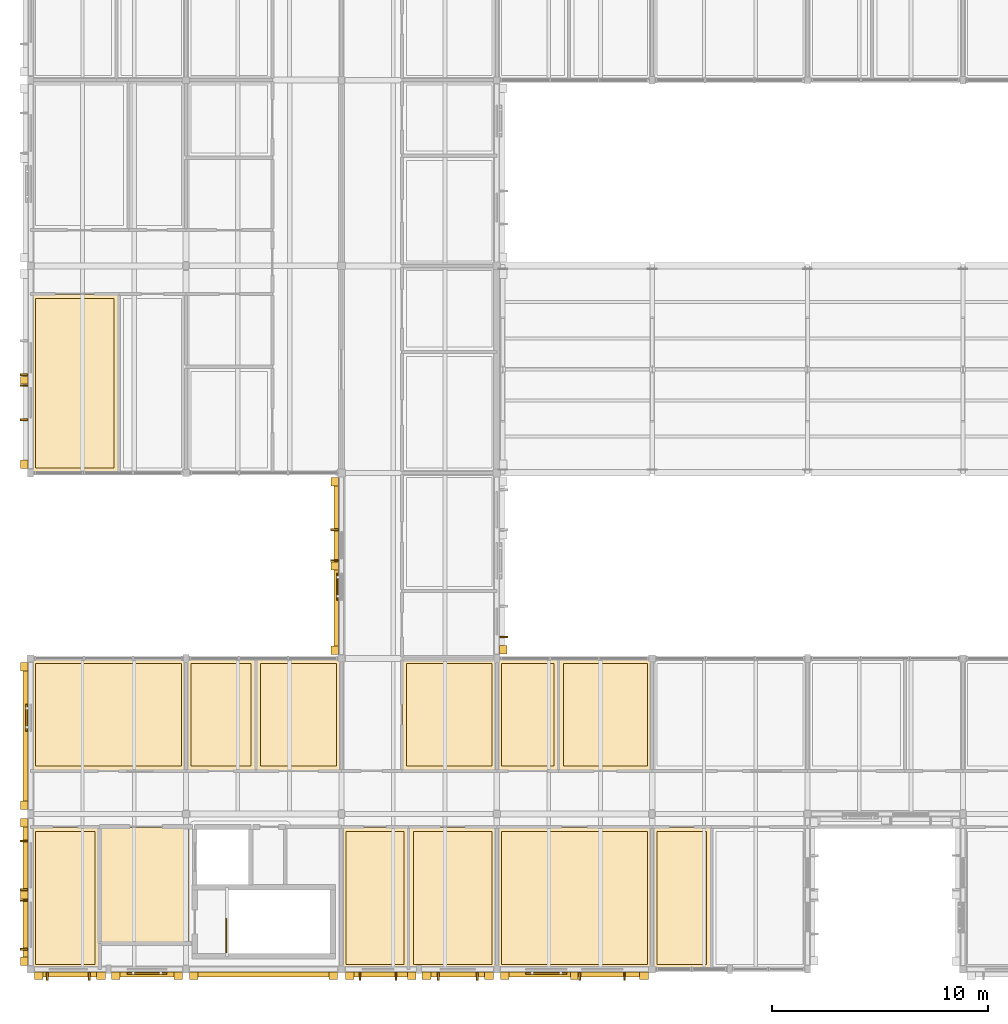
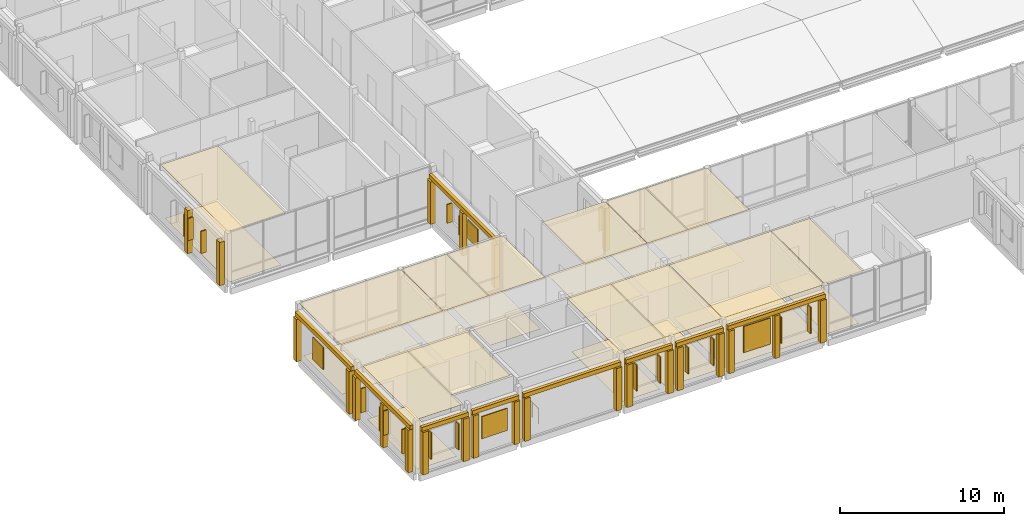
# One storey, part 102 of 115: 58 coverings, 22 shading devices, 1 railing.
"""IFC4 building model written with IfcOpenShell, lengths in metres."""

from ifc_helpers import new_model, si_unit, direction, frame, origin, origin_2d, place, context, subcontext, project, spatial, polyline, rectangle, circle, outline, extrude, material, layer, layer_set, type_object, element, save


model = new_model("IFC4")

# Units and contexts
model_context = context("Model", 3, precision=1e-05, world=origin(), true_north=direction((0.0, 1.0)))
body_context = subcontext(model_context, "Body", "Model", "MODEL_VIEW")
ifc_project = project(units=[si_unit("LENGTHUNIT", "METRE"), si_unit("AREAUNIT", "SQUARE_METRE"), si_unit("VOLUMEUNIT", "CUBIC_METRE"), si_unit("PLANEANGLEUNIT", "RADIAN"), si_unit("MASSUNIT", "GRAM", prefix="KILO")], contexts=[model_context])

# Site, building, storey
site_placement = place(None, origin())
site = spatial("IfcSite", under=ifc_project, at=site_placement, CompositionType="ELEMENT")
building_placement = place(site_placement, origin())
building = spatial("IfcBuilding", under=site, at=building_placement, Name="Hawrajan Terrace Health Centre", CompositionType="ELEMENT")
storey_placement = place(building_placement, frame((0.0, 0.0, 9.0)))
storey = spatial("IfcBuildingStorey", under=building, at=storey_placement, Name="L02", CompositionType="ELEMENT", Elevation=9.0)

# Coverings
ifc_material_1 = material(Name="Precast concrete C40/50", Category="concrete")
ifc_layer_1 = layer(ifc_material_1, 0.219970703125)
ifc_layer_set_1 = layer_set([ifc_layer_1], Name="Precast concrete C40/50")
covering_type_1 = type_object("IfcCoveringType", Name="ArtDecoCorniceBand", PredefinedType="CLADDING", material=ifc_layer_set_1)
covering_1_placement = place(storey_placement, frame((6.419921875, 3.955078125, 3.18017578125), z_axis=(0.0, 0.0, 1.0), x_axis=(1.0, 0.0, 0.0)))
element("IfcCovering", 1, at=covering_1_placement, inside=storey, type_object=covering_type_1, Name="Art Deco limestone cornice band CRN-L02-0104", PredefinedType="CLADDING", context=body_context, shape_type="SweptSolid", body=[
    extrude(rectangle(XDim=3.280029296875, YDim=0.219970703125, at=origin_2d()), origin(), (0.0, 0.0, 1.0), 0.300048828125),
])
covering_2_placement = place(storey_placement, frame((9.989990234375, 3.955078125, 3.18017578125), z_axis=(0.0, 0.0, 1.0), x_axis=(1.0, 0.0, 0.0)))
element("IfcCovering", 2, at=covering_2_placement, inside=storey, type_object=covering_type_1, Name="Art Deco limestone cornice band CRN-L02-0105", PredefinedType="CLADDING", context=body_context, shape_type="SweptSolid", body=[
    extrude(rectangle(XDim=3.300048828125, YDim=0.219970703125, at=origin_2d()), origin(), (0.0, 0.0, 1.0), 0.300048828125),
])
for number, where, z_axis, x_axis, name in (
    (3, (4.35498046875, 7.7900390625, 3.18017578125), (0.0, 0.0, 1.0), (0.0, 1.0, 0.0), "Art Deco limestone cornice band CRN-L02-0106"),
    (4, (4.35498046875, 15.010009765625, 3.18017578125), (0.0, 0.0, 1.0), (0.0, 1.0, 0.0), "Art Deco limestone cornice band CRN-L02-0107"),
):
    element("IfcCovering", number, at=place(storey_placement, frame(where, z_axis=z_axis, x_axis=x_axis)), inside=storey, type_object=covering_type_1, Name=name, PredefinedType="CLADDING", context=body_context, shape_type="SweptSolid", body=[
        extrude(rectangle(XDim=6.820068359375, YDim=0.219970703125, at=origin_2d()), origin(), (0.0, 0.0, 1.0), 0.300048828125),
    ])
covering_3_placement = place(storey_placement, frame((15.389892578125, 3.955078125, 3.18017578125), z_axis=(0.0, 0.0, 1.0), x_axis=(1.0, 0.0, 0.0)))
element("IfcCovering", 5, at=covering_3_placement, inside=storey, type_object=covering_type_1, Name="Art Deco limestone cornice band CRN-L02-0114", PredefinedType="CLADDING", context=body_context, shape_type="SweptSolid", body=[
    extrude(rectangle(XDim=6.860107421875, YDim=0.219970703125, at=origin_2d()), origin(), (0.0, 0.0, 1.0), 0.300048828125),
])
covering_4_placement = place(storey_placement, frame((20.820068359375, 3.955078125, 3.18017578125), z_axis=(0.0, 0.0, 1.0), x_axis=(1.0, 0.0, 0.0)))
element("IfcCovering", 6, at=covering_4_placement, inside=storey, type_object=covering_type_1, Name="Art Deco limestone cornice band CRN-L02-0116", PredefinedType="CLADDING", context=body_context, shape_type="SweptSolid", body=[
    extrude(rectangle(XDim=3.280029296875, YDim=0.219970703125, at=origin_2d()), origin(), (0.0, 0.0, 1.0), 0.300048828125),
])
covering_5_placement = place(storey_placement, frame((24.389892578125, 3.955078125, 3.18017578125), z_axis=(0.0, 0.0, 1.0), x_axis=(1.0, 0.0, 0.0)))
element("IfcCovering", 7, at=covering_5_placement, inside=storey, type_object=covering_type_1, Name="Art Deco limestone cornice band CRN-L02-0117", PredefinedType="CLADDING", context=body_context, shape_type="SweptSolid", body=[
    extrude(rectangle(XDim=3.300048828125, YDim=0.219970703125, at=origin_2d()), origin(), (0.0, 0.0, 1.0), 0.300048828125),
])
covering_6_placement = place(storey_placement, frame((18.7548828125, 22.889892578125, 3.18017578125), z_axis=(0.0, 0.0, 1.0), x_axis=(0.0, 1.0, 0.0)))
element("IfcCovering", 8, at=covering_6_placement, inside=storey, type_object=covering_type_1, Name="Art Deco limestone cornice band CRN-L02-0118", PredefinedType="CLADDING", context=body_context, shape_type="SweptSolid", body=[
    extrude(rectangle(XDim=8.219970703125, YDim=0.219970703125, at=origin_2d()), origin(), (0.0, 0.0, 1.0), 0.300048828125),
])
covering_7_placement = place(storey_placement, frame((29.7900390625, 3.955078125, 3.18017578125), z_axis=(0.0, 0.0, 1.0), x_axis=(1.0, 0.0, 0.0)))
element("IfcCovering", 9, at=covering_7_placement, inside=storey, type_object=covering_type_1, Name="Art Deco limestone cornice band CRN-L02-0124", PredefinedType="CLADDING", context=body_context, shape_type="SweptSolid", body=[
    extrude(rectangle(XDim=6.860107421875, YDim=0.219970703125, at=origin_2d()), origin(), (0.0, 0.0, 1.0), 0.300048828125),
])
ifc_layer_2 = layer(ifc_material_1, 0.340087890625)
ifc_layer_set_2 = layer_set([ifc_layer_2], Name="Precast concrete C40/50")
covering_type_2 = type_object("IfcCoveringType", Name="ArtDecoStonePilaster", PredefinedType="CLADDING", material=ifc_layer_set_2)
for number, where, z_axis, x_axis, name in (
    (10, (4.97998046875, 3.89501953125, 0.0), (0.0, 0.0, 1.0), (1.0, 0.0, 0.0), "Art Deco fluted limestone pilaster FPIL-L02-0186"),
    (11, (7.860107421875, 3.89501953125, 0.0), (0.0, 0.0, 1.0), (1.0, 0.0, 0.0), "Art Deco fluted limestone pilaster FPIL-L02-0187"),
    (12, (8.5400390625, 3.89501953125, 0.0), (0.0, 0.0, 1.0), (1.0, 0.0, 0.0), "Art Deco fluted limestone pilaster FPIL-L02-0188"),
    (13, (11.43994140625, 3.89501953125, 0.0), (0.0, 0.0, 1.0), (1.0, 0.0, 0.0), "Art Deco fluted limestone pilaster FPIL-L02-0189"),
    (14, (4.294921875, 4.580078125, 0.0), (0.0, 0.0, 1.0), (0.0, 1.0, 0.0), "Art Deco fluted limestone pilaster FPIL-L02-0190"),
    (15, (4.294921875, 11.0, 0.0), (0.0, 0.0, 1.0), (0.0, 1.0, 0.0), "Art Deco fluted limestone pilaster FPIL-L02-0191"),
):
    element("IfcCovering", number, at=place(storey_placement, frame(where, z_axis=z_axis, x_axis=x_axis)), inside=storey, type_object=covering_type_2, Name=name, PredefinedType="CLADDING", context=body_context, shape_type="SweptSolid", body=[
        extrude(rectangle(XDim=0.39990234375, YDim=0.340087890625, at=origin_2d()), origin(), (0.0, 0.0, 1.0), 3.169921875),
    ])
covering_8_placement = place(storey_placement, frame((4.294921875, 7.639892578125, 0.0), z_axis=(0.0, 0.0, 1.0), x_axis=(0.0, 1.0, 0.0)))
element("IfcCovering", 16, at=covering_8_placement, inside=storey, type_object=covering_type_2, Name="Art Deco mullion pilaster FPIL-L02-0192", PredefinedType="CLADDING", context=body_context, shape_type="SweptSolid", body=[
    extrude(rectangle(XDim=0.360107421875, YDim=0.340087890625, at=origin_2d()), origin(), (0.0, 0.0, 1.0), 3.169921875),
])
for number, where, z_axis, x_axis, name in (
    (17, (4.294921875, 11.800048828125, 0.0), (0.0, 0.0, 1.0), (0.0, 1.0, 0.0), "Art Deco fluted limestone pilaster FPIL-L02-0193"),
    (18, (4.294921875, 18.219970703125, 0.0), (0.0, 0.0, 1.0), (0.0, 1.0, 0.0), "Art Deco fluted limestone pilaster FPIL-L02-0194"),
):
    element("IfcCovering", number, at=place(storey_placement, frame(where, z_axis=z_axis, x_axis=x_axis)), inside=storey, type_object=covering_type_2, Name=name, PredefinedType="CLADDING", context=body_context, shape_type="SweptSolid", body=[
        extrude(rectangle(XDim=0.39990234375, YDim=0.340087890625, at=origin_2d()), origin(), (0.0, 0.0, 1.0), 3.169921875),
    ])
covering_9_placement = place(storey_placement, frame((4.294921875, 27.60009765625, 0.0), z_axis=(0.0, 0.0, 1.0), x_axis=(0.0, 1.0, 0.0)))
element("IfcCovering", 19, at=covering_9_placement, inside=storey, type_object=covering_type_2, Name="Art Deco fluted limestone pilaster FPIL-L02-0195", PredefinedType="CLADDING", context=body_context, shape_type="SweptSolid", body=[
    extrude(rectangle(XDim=0.39990234375, YDim=0.340087890625, at=origin_2d()), origin(), (0.0, 0.0, 1.0), 3.2099609375),
])
covering_10_placement = place(storey_placement, frame((4.294921875, 31.5, 0.0), z_axis=(0.0, 0.0, 1.0), x_axis=(0.0, 1.0, 0.0)))
element("IfcCovering", 20, at=covering_10_placement, inside=storey, type_object=covering_type_2, Name="Art Deco mullion pilaster FPIL-L02-0197", PredefinedType="CLADDING", context=body_context, shape_type="SweptSolid", body=[
    extrude(rectangle(XDim=0.360107421875, YDim=0.340087890625, at=origin_2d()), origin(), (0.0, 0.0, 1.0), 3.2099609375),
])
for number, where, z_axis, x_axis, name in (
    (21, (12.159912109375, 3.89501953125, 0.0), (0.0, 0.0, 1.0), (1.0, 0.0, 0.0), "Art Deco fluted limestone pilaster FPIL-L02-0210"),
    (22, (18.6201171875, 3.89501953125, 0.0), (0.0, 0.0, 1.0), (1.0, 0.0, 0.0), "Art Deco fluted limestone pilaster FPIL-L02-0211"),
    (23, (19.3798828125, 3.89501953125, 0.0), (0.0, 0.0, 1.0), (1.0, 0.0, 0.0), "Art Deco fluted limestone pilaster FPIL-L02-0214"),
    (24, (22.260009765625, 3.89501953125, 0.0), (0.0, 0.0, 1.0), (1.0, 0.0, 0.0), "Art Deco fluted limestone pilaster FPIL-L02-0215"),
    (25, (22.93994140625, 3.89501953125, 0.0), (0.0, 0.0, 1.0), (1.0, 0.0, 0.0), "Art Deco fluted limestone pilaster FPIL-L02-0216"),
    (26, (25.840087890625, 3.89501953125, 0.0), (0.0, 0.0, 1.0), (1.0, 0.0, 0.0), "Art Deco fluted limestone pilaster FPIL-L02-0217"),
    (27, (18.695068359375, 18.97998046875, 0.0), (0.0, 0.0, 1.0), (0.0, 1.0, 0.0), "Art Deco fluted limestone pilaster FPIL-L02-0218"),
    (28, (18.695068359375, 26.800048828125, 0.0), (0.0, 0.0, 1.0), (0.0, 1.0, 0.0), "Art Deco fluted limestone pilaster FPIL-L02-0219"),
):
    element("IfcCovering", number, at=place(storey_placement, frame(where, z_axis=z_axis, x_axis=x_axis)), inside=storey, type_object=covering_type_2, Name=name, PredefinedType="CLADDING", context=body_context, shape_type="SweptSolid", body=[
        extrude(rectangle(XDim=0.39990234375, YDim=0.340087890625, at=origin_2d()), origin(), (0.0, 0.0, 1.0), 3.169921875),
    ])
covering_11_placement = place(storey_placement, frame((18.695068359375, 22.889892578125, 0.0), z_axis=(0.0, 0.0, 1.0), x_axis=(0.0, 1.0, 0.0)))
element("IfcCovering", 29, at=covering_11_placement, inside=storey, type_object=covering_type_2, Name="Art Deco mullion pilaster FPIL-L02-0220", PredefinedType="CLADDING", context=body_context, shape_type="SweptSolid", body=[
    extrude(rectangle(XDim=0.360107421875, YDim=0.340087890625, at=origin_2d()), origin(), (0.0, 0.0, 1.0), 3.169921875),
])
for number, where, z_axis, x_axis, name in (
    (30, (26.5048828125, 19.0, 0.0), (0.0, 0.0, 1.0), (0.0, 1.0, 0.0), "Art Deco fluted limestone pilaster FPIL-L02-0221"),
    (31, (26.56005859375, 3.89501953125, 0.0), (0.0, 0.0, 1.0), (1.0, 0.0, 0.0), "Art Deco fluted limestone pilaster FPIL-L02-0232"),
    (32, (33.02001953125, 3.89501953125, 0.0), (0.0, 0.0, 1.0), (1.0, 0.0, 0.0), "Art Deco fluted limestone pilaster FPIL-L02-0233"),
):
    element("IfcCovering", number, at=place(storey_placement, frame(where, z_axis=z_axis, x_axis=x_axis)), inside=storey, type_object=covering_type_2, Name=name, PredefinedType="CLADDING", context=body_context, shape_type="SweptSolid", body=[
        extrude(rectangle(XDim=0.39990234375, YDim=0.340087890625, at=origin_2d()), origin(), (0.0, 0.0, 1.0), 3.169921875),
    ])
covering_12_placement = place(storey_placement, frame((29.7900390625, 3.89501953125, 0.0), z_axis=(0.0, 0.0, 1.0), x_axis=(1.0, 0.0, 0.0)))
element("IfcCovering", 33, at=covering_12_placement, inside=storey, type_object=covering_type_2, Name="Art Deco mullion pilaster FPIL-L02-0234", PredefinedType="CLADDING", context=body_context, shape_type="SweptSolid", body=[
    extrude(rectangle(XDim=0.360107421875, YDim=0.340087890625, at=origin_2d()), origin(), (0.0, 0.0, 1.0), 3.169921875),
])
ifc_material_2 = material(Name="Hygienic mineral-fibre acoustic tile ceiling")
ifc_layer_3 = layer(ifc_material_2, 0.02490234375)
ifc_layer_set_3 = layer_set([ifc_layer_3], Name="Hygienic mineral-fibre acoustic tile ceiling")
covering_type_3 = type_object("IfcCoveringType", Name="ClinicalAcousticCeiling_25", PredefinedType="CEILING", material=ifc_layer_set_3)
covering_13_placement = place(storey_placement, frame((0.0, 0.0, 3.885009765625)))
element("IfcCovering", 34, at=covering_13_placement, inside=storey, type_object=covering_type_3, Name="Suspended ceiling L02-020", PredefinedType="CEILING", context=body_context, shape_type="SweptSolid", body=[
    extrude(outline(polyline([(7.820068359375, 5.419921875), (7.820068359375, 10.780029296875), (11.929931640625, 10.780029296875), (11.929931640625, 5.419921875), (7.820068359375, 5.419921875)])), origin(), (0.0, 0.0, 1.0), 0.02490234375),
])
covering_14_placement = place(storey_placement, frame((0.0, 0.0, 3.93505859375)))
element("IfcCovering", 35, at=covering_14_placement, inside=storey, type_object=covering_type_3, Name="Suspended ceiling L02-045", PredefinedType="CEILING", context=body_context, shape_type="SweptSolid", body=[
    extrude(outline(polyline([(4.6201171875, 35.47998046875), (8.669677734375, 35.47998046875), (8.669677734375, 27.219970703125), (4.6201171875, 27.219970703125), (4.6201171875, 35.47998046875)])), origin(), (0.0, 0.0, 1.0), 0.02490234375),
])
covering_15_placement = place(storey_placement, frame((0.0, 0.0, 3.885009765625)))
element("IfcCovering", 36, at=covering_15_placement, inside=storey, type_object=covering_type_3, Name="Suspended ceiling L02-107", PredefinedType="CEILING", context=body_context, shape_type="SweptSolid", body=[
    extrude(outline(polyline([(4.6201171875, 10.780029296875), (7.780029296875, 10.780029296875), (7.780029296875, 4.219970703125), (4.6201171875, 4.219970703125), (4.6201171875, 10.780029296875)])), origin(), (0.0, 0.0, 1.0), 0.02490234375),
])
covering_16_placement = place(storey_placement, frame((0.0, 0.0, 3.885009765625)))
element("IfcCovering", 37, at=covering_16_placement, inside=storey, type_object=covering_type_3, Name="Suspended ceiling L02-108", PredefinedType="CEILING", context=body_context, shape_type="SweptSolid", body=[
    extrude(outline(polyline([(4.6201171875, 18.580078125), (11.780029296875, 18.580078125), (11.780029296875, 13.419921875), (4.6201171875, 13.419921875), (4.6201171875, 18.580078125)])), origin(), (0.0, 0.0, 1.0), 0.02490234375),
])
covering_17_placement = place(storey_placement, frame((0.0, 0.0, 3.885009765625)))
element("IfcCovering", 38, at=covering_17_placement, inside=storey, type_object=covering_type_3, Name="Suspended ceiling L02-109", PredefinedType="CEILING", context=body_context, shape_type="SweptSolid", body=[
    extrude(outline(polyline([(11.820068359375, 18.580078125), (15.0126953125, 18.580078125), (15.0126953125, 13.419921875), (11.820068359375, 13.419921875), (11.820068359375, 18.580078125)])), origin(), (0.0, 0.0, 1.0), 0.02490234375),
])
covering_18_placement = place(storey_placement, frame((0.0, 0.0, 3.885009765625)))
element("IfcCovering", 39, at=covering_18_placement, inside=storey, type_object=covering_type_3, Name="Suspended ceiling L02-110", PredefinedType="CEILING", context=body_context, shape_type="SweptSolid", body=[
    extrude(outline(polyline([(15.052734375, 18.580078125), (18.97998046875, 18.580078125), (18.97998046875, 13.419921875), (15.052734375, 13.419921875), (15.052734375, 18.580078125)])), origin(), (0.0, 0.0, 1.0), 0.02490234375),
])
covering_19_placement = place(storey_placement, frame((0.0, 0.0, 3.885009765625)))
element("IfcCovering", 40, at=covering_19_placement, inside=storey, type_object=covering_type_3, Name="Suspended ceiling L02-111", PredefinedType="CEILING", context=body_context, shape_type="SweptSolid", body=[
    extrude(outline(polyline([(19.02001953125, 10.780029296875), (22.09033203125, 10.780029296875), (22.09033203125, 4.219970703125), (19.02001953125, 4.219970703125), (19.02001953125, 10.780029296875)])), origin(), (0.0, 0.0, 1.0), 0.02490234375),
])
covering_20_placement = place(storey_placement, frame((0.0, 0.0, 3.885009765625)))
element("IfcCovering", 41, at=covering_20_placement, inside=storey, type_object=covering_type_3, Name="Suspended ceiling L02-112", PredefinedType="CEILING", context=body_context, shape_type="SweptSolid", body=[
    extrude(outline(polyline([(22.13037109375, 10.780029296875), (26.179931640625, 10.780029296875), (26.179931640625, 4.219970703125), (22.13037109375, 4.219970703125), (22.13037109375, 10.780029296875)])), origin(), (0.0, 0.0, 1.0), 0.02490234375),
])
covering_21_placement = place(storey_placement, frame((0.0, 0.0, 3.885009765625)))
element("IfcCovering", 42, at=covering_21_placement, inside=storey, type_object=covering_type_3, Name="Suspended ceiling L02-113", PredefinedType="CEILING", context=body_context, shape_type="SweptSolid", body=[
    extrude(outline(polyline([(21.820068359375, 18.580078125), (26.179931640625, 18.580078125), (26.179931640625, 13.419921875), (21.820068359375, 13.419921875), (21.820068359375, 18.580078125)])), origin(), (0.0, 0.0, 1.0), 0.02490234375),
])
covering_22_placement = place(storey_placement, frame((0.0, 0.0, 3.885009765625)))
element("IfcCovering", 43, at=covering_22_placement, inside=storey, type_object=covering_type_3, Name="Suspended ceiling L02-114", PredefinedType="CEILING", context=body_context, shape_type="SweptSolid", body=[
    extrude(outline(polyline([(26.219970703125, 10.780029296875), (33.3798828125, 10.780029296875), (33.3798828125, 4.219970703125), (26.219970703125, 4.219970703125), (26.219970703125, 10.780029296875)])), origin(), (0.0, 0.0, 1.0), 0.02490234375),
])
covering_23_placement = place(storey_placement, frame((0.0, 0.0, 3.885009765625)))
element("IfcCovering", 44, at=covering_23_placement, inside=storey, type_object=covering_type_3, Name="Suspended ceiling L02-115", PredefinedType="CEILING", context=body_context, shape_type="SweptSolid", body=[
    extrude(outline(polyline([(26.219970703125, 18.580078125), (29.045654296875, 18.580078125), (29.045654296875, 13.419921875), (26.219970703125, 13.419921875), (26.219970703125, 18.580078125)])), origin(), (0.0, 0.0, 1.0), 0.02490234375),
])
covering_24_placement = place(storey_placement, frame((0.0, 0.0, 3.885009765625)))
element("IfcCovering", 45, at=covering_24_placement, inside=storey, type_object=covering_type_3, Name="Suspended ceiling L02-116", PredefinedType="CEILING", context=body_context, shape_type="SweptSolid", body=[
    extrude(outline(polyline([(29.085693359375, 18.580078125), (33.3798828125, 18.580078125), (33.3798828125, 13.419921875), (29.085693359375, 13.419921875), (29.085693359375, 18.580078125)])), origin(), (0.0, 0.0, 1.0), 0.02490234375),
])
covering_25_placement = place(storey_placement, frame((0.0, 0.0, 3.885009765625)))
element("IfcCovering", 46, at=covering_25_placement, inside=storey, type_object=covering_type_3, Name="Suspended ceiling L02-117", PredefinedType="CEILING", context=body_context, shape_type="SweptSolid", body=[
    extrude(outline(polyline([(33.419921875, 10.780029296875), (36.123291015625, 10.780029296875), (36.123291015625, 4.219970703125), (33.419921875, 4.219970703125), (33.419921875, 10.780029296875)])), origin(), (0.0, 0.0, 1.0), 0.02490234375),
])
ifc_material_3 = material(Name="Seamless medical-grade cushioned vinyl flooring")
ifc_layer_4 = layer(ifc_material_3, 0.011962890625)
ifc_layer_set_4 = layer_set([ifc_layer_4], Name="Seamless medical-grade cushioned vinyl flooring")
covering_type_4 = type_object("IfcCoveringType", Name="ClinicalVinylFlooring_12", PredefinedType="FLOORING", material=ifc_layer_set_4)
covering_26_placement = place(storey_placement, origin())
element("IfcCovering", 47, at=covering_26_placement, inside=storey, type_object=covering_type_4, Name="Floor finish L02-045", PredefinedType="FLOORING", context=body_context, shape_type="SweptSolid", body=[
    extrude(outline(polyline([(4.820068359375, 35.280029296875), (8.469482421875, 35.280029296875), (8.469482421875, 27.419921875), (4.820068359375, 27.419921875), (4.820068359375, 35.280029296875)])), origin(), (0.0, 0.0, 1.0), 0.011962890625),
])
covering_27_placement = place(storey_placement, origin())
element("IfcCovering", 48, at=covering_27_placement, inside=storey, type_object=covering_type_4, Name="Floor finish L02-107", PredefinedType="FLOORING", context=body_context, shape_type="SweptSolid", body=[
    extrude(outline(polyline([(4.820068359375, 10.580078125), (7.580078125, 10.580078125), (7.580078125, 4.419921875), (4.820068359375, 4.419921875), (4.820068359375, 10.580078125)])), origin(), (0.0, 0.0, 1.0), 0.011962890625),
])
covering_28_placement = place(storey_placement, origin())
element("IfcCovering", 49, at=covering_28_placement, inside=storey, type_object=covering_type_4, Name="Floor finish L02-108", PredefinedType="FLOORING", context=body_context, shape_type="SweptSolid", body=[
    extrude(outline(polyline([(4.820068359375, 18.3798828125), (11.580078125, 18.3798828125), (11.580078125, 13.6201171875), (4.820068359375, 13.6201171875), (4.820068359375, 18.3798828125)])), origin(), (0.0, 0.0, 1.0), 0.011962890625),
])
covering_29_placement = place(storey_placement, origin())
element("IfcCovering", 50, at=covering_29_placement, inside=storey, type_object=covering_type_4, Name="Floor finish L02-109", PredefinedType="FLOORING", context=body_context, shape_type="SweptSolid", body=[
    extrude(outline(polyline([(12.02001953125, 18.3798828125), (14.812744140625, 18.3798828125), (14.812744140625, 13.6201171875), (12.02001953125, 13.6201171875), (12.02001953125, 18.3798828125)])), origin(), (0.0, 0.0, 1.0), 0.011962890625),
])
covering_30_placement = place(storey_placement, origin())
element("IfcCovering", 51, at=covering_30_placement, inside=storey, type_object=covering_type_4, Name="Floor finish L02-110", PredefinedType="FLOORING", context=body_context, shape_type="SweptSolid", body=[
    extrude(outline(polyline([(15.252685546875, 18.3798828125), (18.780029296875, 18.3798828125), (18.780029296875, 13.6201171875), (15.252685546875, 13.6201171875), (15.252685546875, 18.3798828125)])), origin(), (0.0, 0.0, 1.0), 0.011962890625),
])
covering_31_placement = place(storey_placement, origin())
element("IfcCovering", 52, at=covering_31_placement, inside=storey, type_object=covering_type_4, Name="Floor finish L02-111", PredefinedType="FLOORING", context=body_context, shape_type="SweptSolid", body=[
    extrude(outline(polyline([(19.219970703125, 10.580078125), (21.890380859375, 10.580078125), (21.890380859375, 4.419921875), (19.219970703125, 4.419921875), (19.219970703125, 10.580078125)])), origin(), (0.0, 0.0, 1.0), 0.011962890625),
])
covering_32_placement = place(storey_placement, origin())
element("IfcCovering", 53, at=covering_32_placement, inside=storey, type_object=covering_type_4, Name="Floor finish L02-112", PredefinedType="FLOORING", context=body_context, shape_type="SweptSolid", body=[
    extrude(outline(polyline([(22.330322265625, 10.580078125), (25.97998046875, 10.580078125), (25.97998046875, 4.419921875), (22.330322265625, 4.419921875), (22.330322265625, 10.580078125)])), origin(), (0.0, 0.0, 1.0), 0.011962890625),
])
covering_33_placement = place(storey_placement, origin())
element("IfcCovering", 54, at=covering_33_placement, inside=storey, type_object=covering_type_4, Name="Floor finish L02-113", PredefinedType="FLOORING", context=body_context, shape_type="SweptSolid", body=[
    extrude(outline(polyline([(22.02001953125, 18.3798828125), (25.97998046875, 18.3798828125), (25.97998046875, 13.6201171875), (22.02001953125, 13.6201171875), (22.02001953125, 18.3798828125)])), origin(), (0.0, 0.0, 1.0), 0.011962890625),
])
covering_34_placement = place(storey_placement, origin())
element("IfcCovering", 55, at=covering_34_placement, inside=storey, type_object=covering_type_4, Name="Floor finish L02-114", PredefinedType="FLOORING", context=body_context, shape_type="SweptSolid", body=[
    extrude(outline(polyline([(26.419921875, 10.580078125), (33.179931640625, 10.580078125), (33.179931640625, 4.419921875), (26.419921875, 4.419921875), (26.419921875, 10.580078125)])), origin(), (0.0, 0.0, 1.0), 0.011962890625),
])
covering_35_placement = place(storey_placement, origin())
element("IfcCovering", 56, at=covering_35_placement, inside=storey, type_object=covering_type_4, Name="Floor finish L02-115", PredefinedType="FLOORING", context=body_context, shape_type="SweptSolid", body=[
    extrude(outline(polyline([(26.419921875, 18.3798828125), (28.845703125, 18.3798828125), (28.845703125, 13.6201171875), (26.419921875, 13.6201171875), (26.419921875, 18.3798828125)])), origin(), (0.0, 0.0, 1.0), 0.011962890625),
])
covering_36_placement = place(storey_placement, origin())
element("IfcCovering", 57, at=covering_36_placement, inside=storey, type_object=covering_type_4, Name="Floor finish L02-116", PredefinedType="FLOORING", context=body_context, shape_type="SweptSolid", body=[
    extrude(outline(polyline([(29.28564453125, 18.3798828125), (33.179931640625, 18.3798828125), (33.179931640625, 13.6201171875), (29.28564453125, 13.6201171875), (29.28564453125, 18.3798828125)])), origin(), (0.0, 0.0, 1.0), 0.011962890625),
])
covering_37_placement = place(storey_placement, origin())
element("IfcCovering", 58, at=covering_37_placement, inside=storey, type_object=covering_type_4, Name="Floor finish L02-117", PredefinedType="FLOORING", context=body_context, shape_type="SweptSolid", body=[
    extrude(outline(polyline([(33.6201171875, 10.580078125), (35.923095703125, 10.580078125), (35.923095703125, 4.419921875), (33.6201171875, 4.419921875), (33.6201171875, 10.580078125)])), origin(), (0.0, 0.0, 1.0), 0.011962890625),
])

# Shading devices
ifc_material_4 = material(Name="Anodized bronze mashrabiya vertical solar fin")
ifc_layer_5 = layer(ifc_material_4, 0.080078125)
ifc_layer_set_5 = layer_set([ifc_layer_5], Name="Anodized bronze mashrabiya vertical solar fin")
shading_device_type_1 = type_object("IfcShadingDeviceType", Name="MashrabiyaVerticalFin", PredefinedType="USERDEFINED", material=ifc_layer_set_5)
for number, where, z_axis, x_axis, name in (
    (59, (5.3701171875, 3.885009765625, 1.0), (0.0, 0.0, 1.0), (1.0, 0.0, 0.0), "Bronze mashrabiya solar fin FIN-L02-0127"),
    (60, (7.31005859375, 3.885009765625, 1.0), (0.0, 0.0, 1.0), (1.0, 0.0, 0.0), "Bronze mashrabiya solar fin FIN-L02-0128"),
):
    element("IfcShadingDevice", number, at=place(storey_placement, frame(where, z_axis=z_axis, x_axis=x_axis)), inside=storey, type_object=shading_device_type_1, Name=name, ObjectType="SOLAR_FIN", PredefinedType="USERDEFINED", context=body_context, shape_type="SweptSolid", body=[
        extrude(rectangle(XDim=0.080078125, YDim=0.360107421875, at=origin_2d()), origin(), (0.0, 0.0, 1.0), 1.949951171875),
    ])
for number, where, z_axis, x_axis, name in (
    (61, (4.284912109375, 5.1298828125, 1.0), (0.0, 0.0, 1.0), (0.0, 1.0, 0.0), "Bronze mashrabiya solar fin FIN-L02-0130"),
    (62, (4.284912109375, 7.389892578125, 1.0), (0.0, 0.0, 1.0), (0.0, 1.0, 0.0), "Bronze mashrabiya solar fin FIN-L02-0131"),
    (63, (4.284912109375, 7.889892578125, 1.0), (0.0, 0.0, 1.0), (0.0, 1.0, 0.0), "Bronze mashrabiya solar fin FIN-L02-0132"),
    (64, (4.284912109375, 10.14990234375, 1.0), (0.0, 0.0, 1.0), (0.0, 1.0, 0.0), "Bronze mashrabiya solar fin FIN-L02-0133"),
):
    element("IfcShadingDevice", number, at=place(storey_placement, frame(where, z_axis=z_axis, x_axis=x_axis)), inside=storey, type_object=shading_device_type_1, Name=name, ObjectType="SOLAR_FIN", PredefinedType="USERDEFINED", context=body_context, shape_type="SweptSolid", body=[
        extrude(rectangle(XDim=0.080078125, YDim=0.360107421875, at=origin_2d()), origin(), (0.0, 0.0, 1.0), 1.800048828125),
    ])
for number, where, z_axis, x_axis, name in (
    (65, (4.284912109375, 29.669921875, 1.050048828125), (0.0, 0.0, 1.0), (0.0, 1.0, 0.0), "Bronze mashrabiya solar fin FIN-L02-0135"),
    (66, (4.284912109375, 31.25, 1.050048828125), (0.0, 0.0, 1.0), (0.0, 1.0, 0.0), "Bronze mashrabiya solar fin FIN-L02-0136"),
    (67, (4.284912109375, 31.75, 1.050048828125), (0.0, 0.0, 1.0), (0.0, 1.0, 0.0), "Bronze mashrabiya solar fin FIN-L02-0137"),
):
    element("IfcShadingDevice", number, at=place(storey_placement, frame(where, z_axis=z_axis, x_axis=x_axis)), inside=storey, type_object=shading_device_type_1, Name=name, ObjectType="SOLAR_FIN", PredefinedType="USERDEFINED", context=body_context, shape_type="SweptSolid", body=[
        extrude(rectangle(XDim=0.080078125, YDim=0.360107421875, at=origin_2d()), origin(), (0.0, 0.0, 1.0), 1.64990234375),
    ])
for number, where, z_axis, x_axis, name in (
    (68, (19.865234375, 3.885009765625, 1.0), (0.0, 0.0, 1.0), (1.0, 0.0, 0.0), "Bronze mashrabiya solar fin FIN-L02-0147"),
    (69, (21.525146484375, 3.885009765625, 1.0), (0.0, 0.0, 1.0), (1.0, 0.0, 0.0), "Bronze mashrabiya solar fin FIN-L02-0148"),
    (70, (23.489990234375, 3.885009765625, 1.0), (0.0, 0.0, 1.0), (1.0, 0.0, 0.0), "Bronze mashrabiya solar fin FIN-L02-0149"),
    (71, (25.2900390625, 3.885009765625, 1.0), (0.0, 0.0, 1.0), (1.0, 0.0, 0.0), "Bronze mashrabiya solar fin FIN-L02-0150"),
):
    element("IfcShadingDevice", number, at=place(storey_placement, frame(where, z_axis=z_axis, x_axis=x_axis)), inside=storey, type_object=shading_device_type_1, Name=name, ObjectType="SOLAR_FIN", PredefinedType="USERDEFINED", context=body_context, shape_type="SweptSolid", body=[
        extrude(rectangle(XDim=0.080078125, YDim=0.360107421875, at=origin_2d()), origin(), (0.0, 0.0, 1.0), 1.949951171875),
    ])
for number, where, z_axis, x_axis, name in (
    (72, (18.68505859375, 23.139892578125, 1.35009765625), (0.0, 0.0, 1.0), (0.0, 1.0, 0.0), "Bronze mashrabiya solar fin FIN-L02-0152"),
    (73, (18.68505859375, 24.570068359375, 1.35009765625), (0.0, 0.0, 1.0), (0.0, 1.0, 0.0), "Bronze mashrabiya solar fin FIN-L02-0153"),
):
    element("IfcShadingDevice", number, at=place(storey_placement, frame(where, z_axis=z_axis, x_axis=x_axis)), inside=storey, type_object=shading_device_type_1, Name=name, ObjectType="SOLAR_FIN", PredefinedType="USERDEFINED", context=body_context, shape_type="SweptSolid", body=[
        extrude(rectangle(XDim=0.080078125, YDim=0.360107421875, at=origin_2d()), origin(), (0.0, 0.0, 1.0), 1.39990234375),
    ])
shading_device_1_placement = place(storey_placement, frame((26.514892578125, 19.605224609375, 1.0), z_axis=(0.0, 0.0, 1.0), x_axis=(0.0, 1.0, 0.0)))
element("IfcShadingDevice", 74, at=shading_device_1_placement, inside=storey, type_object=shading_device_type_1, Name="Bronze mashrabiya solar fin FIN-L02-0154", ObjectType="SOLAR_FIN", PredefinedType="USERDEFINED", context=body_context, shape_type="SweptSolid", body=[
    extrude(rectangle(XDim=0.080078125, YDim=0.360107421875, at=origin_2d()), origin(), (0.0, 0.0, 1.0), 1.800048828125),
])
for number, where, z_axis, x_axis, name in (
    (75, (30.0400390625, 3.885009765625, 1.0), (0.0, 0.0, 1.0), (1.0, 0.0, 0.0), "Bronze mashrabiya solar fin FIN-L02-0163"),
    (76, (32.1201171875, 3.885009765625, 1.0), (0.0, 0.0, 1.0), (1.0, 0.0, 0.0), "Bronze mashrabiya solar fin FIN-L02-0164"),
):
    element("IfcShadingDevice", number, at=place(storey_placement, frame(where, z_axis=z_axis, x_axis=x_axis)), inside=storey, type_object=shading_device_type_1, Name=name, ObjectType="SOLAR_FIN", PredefinedType="USERDEFINED", context=body_context, shape_type="SweptSolid", body=[
        extrude(rectangle(XDim=0.080078125, YDim=0.360107421875, at=origin_2d()), origin(), (0.0, 0.0, 1.0), 1.949951171875),
    ])
ifc_material_5 = material(Name="Anodized bronze and cedar roshan lattice")
ifc_layer_6 = layer(ifc_material_5, 0.080078125)
ifc_layer_set_6 = layer_set([ifc_layer_6], Name="Anodized bronze and cedar roshan lattice")
shading_device_type_2 = type_object("IfcShadingDeviceType", Name="RoshanScreen_BronzeCedar", PredefinedType="JALOUSIE", material=ifc_layer_set_6)
shading_device_2_placement = place(storey_placement, frame((9.989990234375, 4.02001953125, 1.050048828125), z_axis=(0.0, 0.0, 1.0), x_axis=(1.0, 0.0, 0.0)))
element("IfcShadingDevice", 77, at=shading_device_2_placement, inside=storey, type_object=shading_device_type_2, Name="Hijazi roshan solar screen RSH-L02-129", PredefinedType="JALOUSIE", context=body_context, shape_type="SweptSolid", body=[
    extrude(rectangle(XDim=1.820068359375, YDim=0.080078125, at=origin_2d()), origin(), (0.0, 0.0, 1.0), 1.64990234375),
])
shading_device_3_placement = place(storey_placement, frame((4.419921875, 15.860107421875, 1.050048828125), z_axis=(0.0, 0.0, 1.0), x_axis=(0.0, 1.0, 0.0)))
element("IfcShadingDevice", 78, at=shading_device_3_placement, inside=storey, type_object=shading_device_type_2, Name="Hijazi roshan solar screen RSH-L02-134", PredefinedType="JALOUSIE", context=body_context, shape_type="SweptSolid", body=[
    extrude(rectangle(XDim=1.260009765625, YDim=0.080078125, at=origin_2d()), origin(), (0.0, 0.0, 1.0), 1.64990234375),
])
shading_device_4_placement = place(storey_placement, frame((18.820068359375, 21.925048828125, 1.35009765625), z_axis=(0.0, 0.0, 1.0), x_axis=(0.0, 1.0, 0.0)))
element("IfcShadingDevice", 79, at=shading_device_4_placement, inside=storey, type_object=shading_device_type_2, Name="Hijazi roshan solar screen RSH-L02-151", PredefinedType="JALOUSIE", context=body_context, shape_type="SweptSolid", body=[
    extrude(rectangle(XDim=1.25, YDim=0.080078125, at=origin_2d()), origin(), (0.0, 0.0, 1.0), 1.39990234375),
])
shading_device_5_placement = place(storey_placement, frame((28.5, 4.02001953125, 1.0), z_axis=(0.0, 0.0, 1.0), x_axis=(1.0, 0.0, 0.0)))
element("IfcShadingDevice", 80, at=shading_device_5_placement, inside=storey, type_object=shading_device_type_2, Name="Hijazi roshan solar screen RSH-L02-162", PredefinedType="JALOUSIE", context=body_context, shape_type="SweptSolid", body=[
    extrude(rectangle(XDim=1.89990234375, YDim=0.080078125, at=origin_2d()), origin(), (0.0, 0.0, 1.0), 1.949951171875),
])

# Railing
ifc_material_6 = material(Name="Painted steel stair well guard", Category="steel")
railing_type = type_object("IfcRailingType", Name="StairWellGuard_1120", PredefinedType="GUARDRAIL", material=ifc_material_6)
railing_placement = place(storey_placement, frame((13.659912109375, 4.97998046875, 0.0)))
element("IfcRailing", 81, at=railing_placement, inside=storey, type_object=railing_type, Name="Stair top well guard ST-3", PredefinedType="GUARDRAIL", context=body_context, shape_type="SweptSolid", body=[
    extrude(circle(Radius=0.02392578125, at=origin_2d()), frame((0.0, 0.02880859375, 1.09619140625), z_axis=(0.0, 1.0, 0.0), x_axis=(-1.0, 0.0, 0.0)), (0.0, 0.0, 1.0), 1.50244140625),
    extrude(circle(Radius=0.02099609375, at=origin_2d()), origin(), (0.0, 0.0, 1.0), 1.067138671875),
    extrude(circle(Radius=0.02099609375, at=origin_2d()), frame((0.0, 0.780029296875, 0.0)), (0.0, 0.0, 1.0), 1.067138671875),
    extrude(circle(Radius=0.02099609375, at=origin_2d()), frame((0.0, 1.56005859375, 0.0)), (0.0, 0.0, 1.0), 1.067138671875),
])

save(model, "model.ifc")
